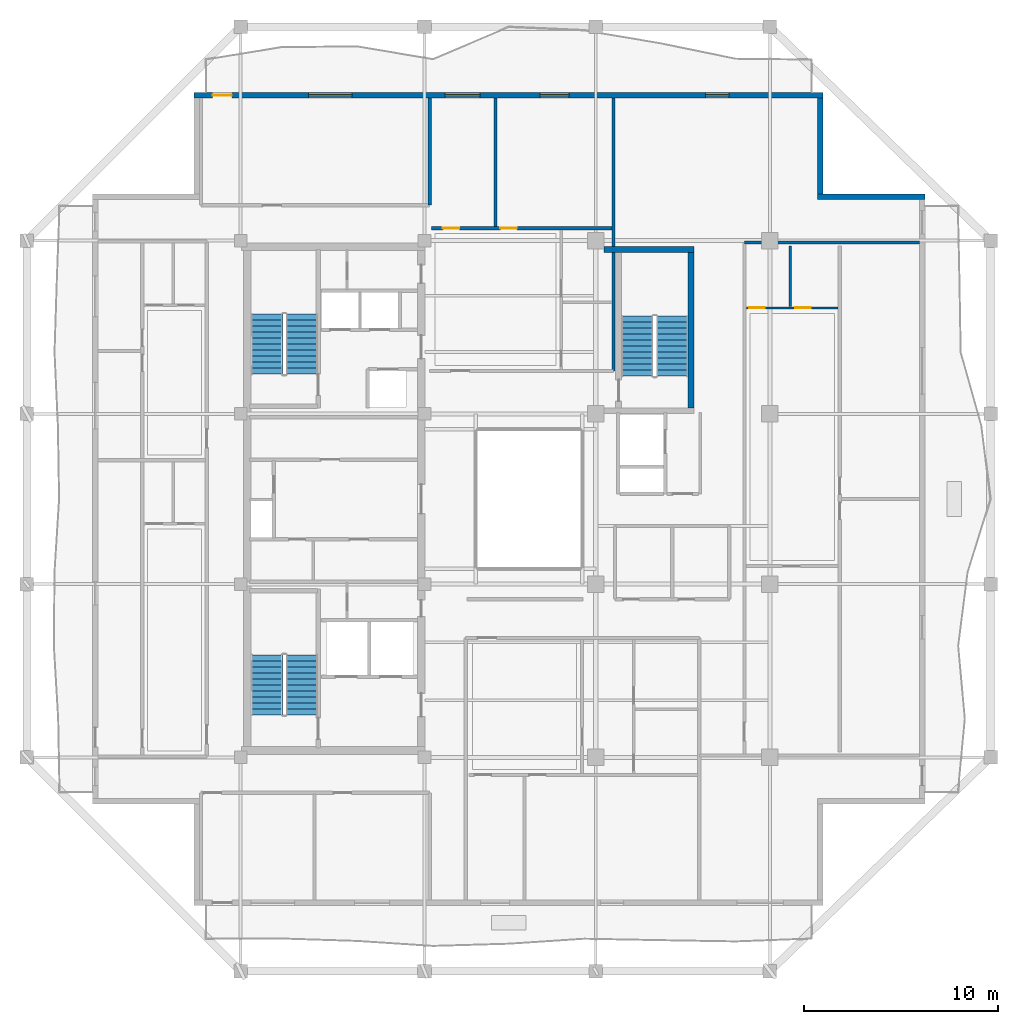
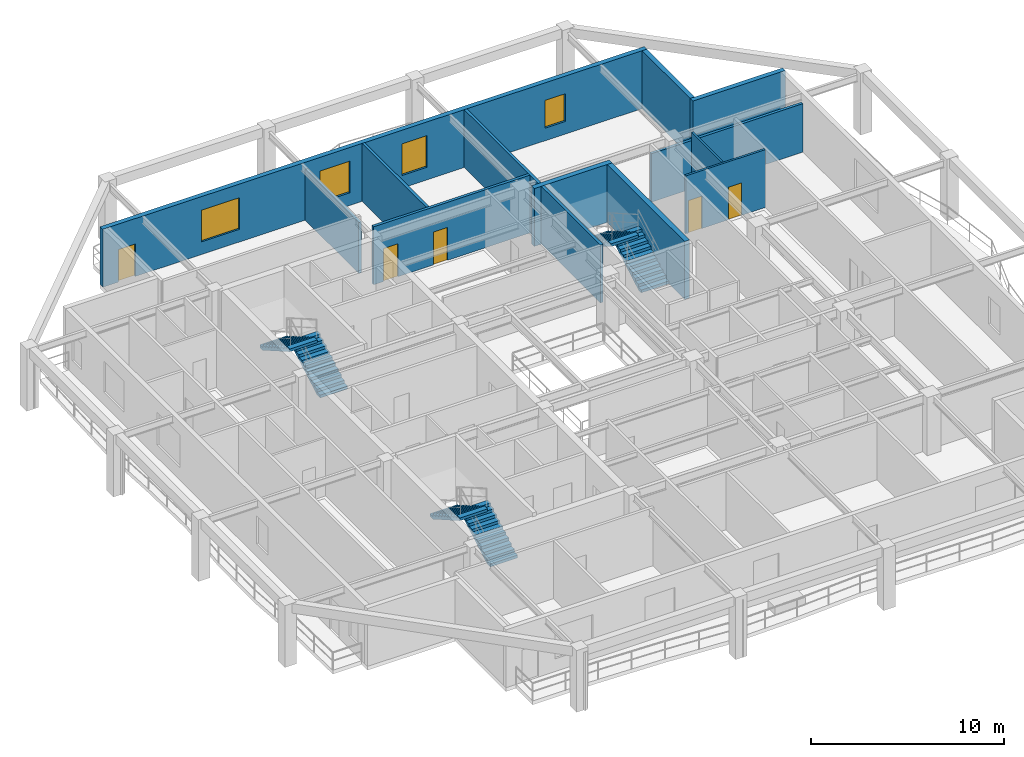
# One storey, part 6 of 11: 12 walls, 6 stair flights, 5 doors, 4 windows, 9 openings, 3 elements without a shape of their own.
"""IFC4 building model written with IfcOpenShell, lengths in metres."""

import ifcopenshell
import ifcopenshell.guid

model = None  # the IFC model being written
_history = None  # IfcOwnerHistory: only IFC2X3 demands one
_inside = {}  # id of a spatial element -> (the spatial element, [elements in it])
_under = {}  # id of a project, library or spatial element -> (it, [spatial elements below it])
_declared = {}  # id of a project -> (the project, [libraries it declares])
_typed = {}  # id of a type object -> (the type object, [elements of that type])
_made_of = {}  # id of a material, layer set ... -> (it, [elements and type objects made of it])


def new_model(schema):
    """Start an empty IFC model of exactly this schema.

    Asked for "IFC4X3", IfcOpenShell would pick the latest addendum, in which some entities
    have other attributes; the version numbers below select the first issue.
    IFC2X3 requires an IfcOwnerHistory on every rooted entity: one is made here for all.
    """
    global model, _history
    if schema == "IFC4X3":
        model = ifcopenshell.file(schema_version=(4, 3, 0, 0))
    else:
        model = ifcopenshell.file(schema=schema)
    _inside.clear()
    _under.clear()
    _declared.clear()
    _typed.clear()
    _made_of.clear()
    _history = None
    if model.schema == "IFC2X3":
        org = make("IfcOrganization", Name="unknown")
        user = make(
            "IfcPersonAndOrganization",
            ThePerson=make("IfcPerson", FamilyName="unknown"),
            TheOrganization=org,
        )
        app = make(
            "IfcApplication",
            ApplicationDeveloper=org,
            Version="unknown",
            ApplicationFullName="unknown",
            ApplicationIdentifier="unknown",
        )
        _history = make(
            "IfcOwnerHistory",
            OwningUser=user,
            OwningApplication=app,
            ChangeAction="ADDED",
            CreationDate=0,
        )
    return model


def make(cls, **values):
    """One entity of the class cls with the attributes given. An attribute that is None is left unset."""
    return model.create_entity(
        cls, **{name: value for name, value in values.items() if value is not None}
    )


def rooted(cls, **values):
    """An entity with a GlobalId (a new one), such as an element, a storey or a relation."""
    return make(cls, GlobalId=ifcopenshell.guid.new(), OwnerHistory=_history, **values)


def si_unit(unit_type, name, prefix=None):
    """IfcSIUnit, for example si_unit("LENGTHUNIT", "METRE", prefix="MILLI")."""
    return make("IfcSIUnit", UnitType=unit_type, Prefix=prefix, Name=name)


def assignment(units):
    """IfcUnitAssignment: the units of a project."""
    return None if units is None else make("IfcUnitAssignment", Units=units)


def point(xyz):
    """IfcCartesianPoint."""
    return None if xyz is None else make("IfcCartesianPoint", Coordinates=xyz)


def direction(xyz):
    """IfcDirection."""
    return None if xyz is None else make("IfcDirection", DirectionRatios=xyz)


def frame(location, z_axis=None, x_axis=None):
    """IfcAxis2Placement3D, a coordinate frame: its origin and axes. An axis left out is left unset."""
    return make(
        "IfcAxis2Placement3D",
        Location=point(location),
        Axis=direction(z_axis),
        RefDirection=direction(x_axis),
    )


def frame_2d(location, x_axis=None):
    """IfcAxis2Placement2D, a coordinate frame in the plane: its origin and x axis."""
    return make(
        "IfcAxis2Placement2D", Location=point(location), RefDirection=direction(x_axis)
    )


def origin():
    """The frame at (0, 0, 0) with its axes left unset."""
    return frame((0.0, 0.0, 0.0))


def place(relative_to, where):
    """IfcLocalPlacement: puts the frame where relative to a parent placement (None: the world)."""
    return make(
        "IfcLocalPlacement", PlacementRelTo=relative_to, RelativePlacement=where
    )


def context(
    kind, dimensions, precision=None, world=None, true_north=None, identifier=None
):
    """IfcGeometricRepresentationContext, for example the 3D "Model" context."""
    return make(
        "IfcGeometricRepresentationContext",
        ContextIdentifier=identifier,
        ContextType=kind,
        CoordinateSpaceDimension=dimensions,
        Precision=precision,
        WorldCoordinateSystem=world,
        TrueNorth=true_north,
    )


def subcontext(parent, identifier, kind, view, scale=None):
    """IfcGeometricRepresentationSubContext, for example "Body" below "Model"."""
    return make(
        "IfcGeometricRepresentationSubContext",
        ContextIdentifier=identifier,
        ContextType=kind,
        ParentContext=parent,
        TargetScale=scale,
        TargetView=view,
    )


def project(units=None, contexts=None):
    """IfcProject with its units and contexts."""
    return rooted(
        "IfcProject",
        Name="project",
        RepresentationContexts=contexts,
        UnitsInContext=assignment(units),
    )


def spatial(cls, under=None, at=None, **own):
    """A site, building, storey or space (cls), placed at a placement, below another one or the project."""
    s = rooted(cls, ObjectPlacement=at, **own)
    if under is not None:
        _under.setdefault(under.id(), (under, []))[1].append(s)
    return s


def polyline(points):
    """IfcPolyline through the points."""
    return make("IfcPolyline", Points=[point(p) for p in points])


def profile(cls, at=None, kind="AREA", **sizes):
    """A parametric profile (cls). Its sizes go by their IFC names, for example OverallWidth=200.0."""
    return make(cls, ProfileType=kind, Position=at, **sizes)


def rectangle(**sizes):
    """IfcRectangleProfileDef."""
    return profile("IfcRectangleProfileDef", **sizes)


def outline(outer, holes=None, kind="AREA"):
    """IfcArbitraryClosedProfileDef: a profile drawn as a closed curve; with holes, ...WithVoids."""
    if holes is None:
        return make("IfcArbitraryClosedProfileDef", ProfileType=kind, OuterCurve=outer)
    return make(
        "IfcArbitraryProfileDefWithVoids",
        ProfileType=kind,
        OuterCurve=outer,
        InnerCurves=holes,
    )


def extrude(swept, where, along, depth):
    """IfcExtrudedAreaSolid: the profile swept, set in the frame where, extruded along a direction by depth."""
    return make(
        "IfcExtrudedAreaSolid",
        SweptArea=swept,
        Position=where,
        ExtrudedDirection=direction(along),
        Depth=depth,
    )


def shape(context_of_items, identifier, shape_type, items):
    """IfcShapeRepresentation: the items that make up one representation, for example the "Body"."""
    return make(
        "IfcShapeRepresentation",
        ContextOfItems=context_of_items,
        RepresentationIdentifier=identifier,
        RepresentationType=shape_type,
        Items=items,
    )


def material(Name=None, Category=None):
    """IfcMaterial."""
    return make("IfcMaterial", Name=Name, Category=Category)


def layer(
    of_material, thickness, ventilated=None, Name=None, Category=None, Priority=None
):
    """IfcMaterialLayer: one layer of a wall or slab, of a material (None: an air gap)."""
    return make(
        "IfcMaterialLayer",
        Material=of_material,
        LayerThickness=thickness,
        IsVentilated=ventilated,
        Name=Name,
        Category=Category,
        Priority=Priority,
    )


def layer_set(layers, Name=None):
    """IfcMaterialLayerSet."""
    return make("IfcMaterialLayerSet", MaterialLayers=layers, LayerSetName=Name)


def made_of(thing, what):
    """Note that an element or type object is made of a material, layer set ...; save() writes the relation."""
    if what is not None:
        _made_of.setdefault(what.id(), (what, []))[1].append(thing)
    return thing


def type_object(cls, material=None, **own):
    """A type object (cls), such as IfcWallType, which elements share."""
    return made_of(rooted(cls, **own), material)


def element(
    cls,
    number,
    at=None,
    inside=None,
    cuts=None,
    type_object=None,
    material=None,
    context=None,
    identifier="Body",
    shape_type=None,
    held_by="IfcProductDefinitionShape",
    body=None,
    shapes=None,
    **own,
):
    """One element of the class cls, such as IfcWall. Its Tag is "e" and its number.

    at: its placement. inside: the storey or other place that contains it. cuts: it is an
    opening in that element (IfcRelVoidsElement). A single representation is given by context,
    identifier, shape_type and body (its items); several are given by shapes. held_by: the class
    of the entity that holds the representations. save() writes the other relations.
    """
    e = rooted(cls, Tag="e%d" % number, ObjectPlacement=at, **own)
    if body is not None:
        shapes = [shape(context, identifier, shape_type, body)]
    if shapes is not None:
        e.Representation = make(held_by, Representations=shapes)
    if inside is not None:
        _inside.setdefault(inside.id(), (inside, []))[1].append(e)
    if cuts is not None:
        rooted(
            "IfcRelVoidsElement", RelatingBuildingElement=cuts, RelatedOpeningElement=e
        )
    if type_object is not None:
        _typed.setdefault(type_object.id(), (type_object, []))[1].append(e)
    return made_of(e, material)


def fill(opening, filler):
    """IfcRelFillsElement: the door or window that sits in an opening."""
    return rooted(
        "IfcRelFillsElement",
        RelatingOpeningElement=opening,
        RelatedBuildingElement=filler,
    )


def aggregate(whole, parts):
    """IfcRelAggregates: a whole, such as a stair, and the parts it consists of."""
    return rooted("IfcRelAggregates", RelatingObject=whole, RelatedObjects=parts)


def save(model, path):
    """Write the relations noted so far, then the file.

    IfcRelAggregates (storeys below a building ...), IfcRelContainedInSpatialStructure (elements
    in a storey), IfcRelDefinesByType, IfcRelAssociatesMaterial and IfcRelDeclares: one each for
    every whole, place, type object, material and project.
    """
    for whole, parts in _under.values():
        aggregate(whole, parts)
    for where, things in _inside.values():
        rooted(
            "IfcRelContainedInSpatialStructure",
            RelatedElements=things,
            RelatingStructure=where,
        )
    for kind, things in _typed.values():
        rooted("IfcRelDefinesByType", RelatedObjects=things, RelatingType=kind)
    for what, things in _made_of.values():
        rooted("IfcRelAssociatesMaterial", RelatedObjects=things, RelatingMaterial=what)
    for by, libraries in _declared.values():
        rooted("IfcRelDeclares", RelatingContext=by, RelatedDefinitions=libraries)
    model.write(path)


model = new_model("IFC4")

# Units and contexts
model_context = context("Model", 3, precision=1e-05, world=origin(), true_north=direction((0.0, 1.0)))
body_context = subcontext(model_context, "Body", "Model", "MODEL_VIEW")
ifc_project = project(units=[si_unit("LENGTHUNIT", "METRE"), si_unit("AREAUNIT", "SQUARE_METRE"), si_unit("VOLUMEUNIT", "CUBIC_METRE"), si_unit("PLANEANGLEUNIT", "RADIAN"), si_unit("MASSUNIT", "GRAM", prefix="KILO")], contexts=[model_context])

# Site, building, storey
site_placement = place(None, origin())
site = spatial("IfcSite", under=ifc_project, at=site_placement, CompositionType="ELEMENT")
building_placement = place(site_placement, origin())
building = spatial("IfcBuilding", under=site, at=building_placement, Name="Kundavana Baori Tower", CompositionType="ELEMENT")
storey_placement = place(building_placement, frame((0.0, 0.0, 253.10009765625)))
storey = spatial("IfcBuildingStorey", under=building, at=storey_placement, Name="L62", CompositionType="ELEMENT", Elevation=253.10009765625)

# Walls
ifc_material_1 = material(Name="Red-Buff Dholpur Sandstone Cladding on Concrete C40/50", Category="masonry")
ifc_layer_1 = layer(ifc_material_1, 0.280029296875, Name="WL-EXT-SAND-280")
ifc_layer_set_1 = layer_set([ifc_layer_1], Name="Red-Buff Dholpur Sandstone Cladding on Concrete C40/50")
wall_type_1 = type_object("IfcWallType", Name="WL-EXT-SAND-280", PredefinedType="STANDARD", material=ifc_layer_set_1)
wall_1_placement = place(storey_placement, frame((50.800048828125, 44.2099609375, 0.0), z_axis=(0.0, 0.0, 1.0), x_axis=(-1.0, 0.0, 0.0)))
element("IfcWall", 1, at=wall_1_placement, inside=storey, type_object=wall_type_1, Name="L62 Exterior Insulated Facade Wall 05", PredefinedType="STANDARD", context=body_context, shape_type="SweptSolid", body=[
    extrude(rectangle(XDim=5.530029296875, YDim=0.280029296875, at=frame_2d((2.76513671875, 0.0))), origin(), (0.0, 0.0, 1.0), 3.659912109375),
])
wall_2_placement = place(storey_placement, frame((45.409912109375, 44.35009765625, 0.0), z_axis=(0.0, 0.0, 1.0), x_axis=(0.0, 1.0, 0.0)))
element("IfcWall", 2, at=wall_2_placement, inside=storey, type_object=wall_type_1, Name="L62 Exterior Insulated Facade Wall 06", PredefinedType="STANDARD", context=body_context, shape_type="SweptSolid", body=[
    extrude(rectangle(XDim=4.969970703125, YDim=0.280029296875, at=frame_2d((2.48486328125, 0.0))), origin(), (0.0, 0.0, 1.0), 3.659912109375),
])

# Wall, openings, door, windows
wall_3_placement = place(storey_placement, frame((45.550048828125, 49.4599609375, 0.0), z_axis=(0.0, 0.0, 1.0), x_axis=(-1.0, 0.0, 0.0)))
wall_3 = element("IfcWall", 3, at=wall_3_placement, inside=storey, type_object=wall_type_1, Name="L62 Exterior Insulated Facade Wall 07", PredefinedType="STANDARD", context=body_context, shape_type="SweptSolid", body=[
    extrude(rectangle(XDim=32.5, YDim=0.280029296875, at=frame_2d((16.25, 0.0))), origin(), (0.0, 0.0, 1.0), 3.659912109375),
])
opening_1_placement = place(wall_3_placement, frame((30.550048828125, 0.0, 0.0)))
opening_1 = element("IfcOpeningElement", 4, at=opening_1_placement, cuts=wall_3, Name="Opening BD-1", PredefinedType="OPENING", context=body_context, shape_type="SweptSolid", body=[
    extrude(rectangle(XDim=1.0, YDim=2.050048828125, at=frame_2d((0.5, 1.02490234375))), frame((0.0, 0.14990234375, 0.0), z_axis=(0.0, -1.0, 0.0), x_axis=(1.0, 0.0, 0.0)), (0.0, 0.0, 1.0), 0.300048828125),
])
opening_2_placement = place(wall_3_placement, frame((24.340087890625, 0.0, 0.800048828125)))
opening_2 = element("IfcOpeningElement", 5, at=opening_2_placement, cuts=wall_3, Name="Opening W-10", PredefinedType="OPENING", context=body_context, shape_type="SweptSolid", body=[
    extrude(rectangle(XDim=2.25, YDim=2.0, at=frame_2d((1.125, 1.0))), frame((0.0, 0.14990234375, 0.0), z_axis=(0.0, -1.0, 0.0), x_axis=(1.0, 0.0, 0.0)), (0.0, 0.0, 1.0), 0.300048828125),
])
opening_3_placement = place(wall_3_placement, frame((17.72802734375, 0.0, 0.800048828125)))
opening_3 = element("IfcOpeningElement", 6, at=opening_3_placement, cuts=wall_3, Name="Opening W-01", PredefinedType="OPENING", context=body_context, shape_type="SweptSolid", body=[
    extrude(rectangle(XDim=1.800048828125, YDim=2.0, at=frame_2d((0.89990234375, 1.0))), frame((0.0, 0.14990234375, 0.0), z_axis=(0.0, -1.0, 0.0), x_axis=(1.0, 0.0, 0.0)), (0.0, 0.0, 1.0), 0.300048828125),
])
opening_4_placement = place(wall_3_placement, frame((13.1279296875, 0.0, 0.800048828125)))
opening_4 = element("IfcOpeningElement", 7, at=opening_4_placement, cuts=wall_3, Name="Opening W-02", PredefinedType="OPENING", context=body_context, shape_type="SweptSolid", body=[
    extrude(rectangle(XDim=1.5, YDim=2.0, at=frame_2d((0.75, 1.0))), frame((0.0, 0.14990234375, 0.0), z_axis=(0.0, -1.0, 0.0), x_axis=(1.0, 0.0, 0.0)), (0.0, 0.0, 1.0), 0.300048828125),
])
opening_5_placement = place(wall_3_placement, frame((4.8701171875, 0.0, 0.800048828125)))
opening_5 = element("IfcOpeningElement", 8, at=opening_5_placement, cuts=wall_3, Name="Opening W-03", PredefinedType="OPENING", context=body_context, shape_type="SweptSolid", body=[
    extrude(rectangle(XDim=1.199951171875, YDim=1.75, at=frame_2d((0.60009765625, 0.875))), frame((0.0, 0.14990234375, 0.0), z_axis=(0.0, -1.0, 0.0), x_axis=(1.0, 0.0, 0.0)), (0.0, 0.0, 1.0), 0.300048828125),
])
ifc_material_2 = material(Name="Architectural Patinated Bronze Metalwork")
door_type_1 = type_object("IfcDoorType", Name="DR-EXT-LOG-1000", OperationType="NOTDEFINED", PredefinedType="DOOR", material=ifc_material_2)
door_1_placement = place(opening_1_placement, frame((1.0, 0.0, 0.0), z_axis=(0.0, 0.0, 1.0), x_axis=(-1.0, 0.0, 0.0)))
door_1 = element("IfcDoor", 9, at=door_1_placement, inside=storey, type_object=door_type_1, Name="L62 Loggia Balcony Access Door N", OperationType="SINGLE_SWING_LEFT", OverallHeight=2.050048828125, OverallWidth=1.0, PredefinedType="DOOR", context=body_context, shape_type="SweptSolid", body=[
    extrude(rectangle(XDim=1.0, YDim=2.050048828125, at=frame_2d((0.5, 1.02490234375))), frame((0.0, 0.02490234375, 0.0), z_axis=(0.0, -1.0, 0.0), x_axis=(1.0, 0.0, 0.0)), (0.0, 0.0, 1.0), 0.050048828125),
])
fill(opening_1, door_1)
ifc_material_3 = material(Name="Double-Glazed Solar-Control Low-E Insulated Glass", Category="glass")
window_type_1 = type_object("IfcWindowType", Name="WIN-LOG-1200x1750", PartitioningType="SINGLE_PANEL", PredefinedType="WINDOW", material=ifc_material_3)
window_1_placement = place(opening_5_placement, origin())
window_1 = element("IfcWindow", 10, at=window_1_placement, inside=storey, type_object=window_type_1, Name="L62 Recessed Loggia Window N-4", OverallHeight=1.75, OverallWidth=1.199951171875, PartitioningType="SINGLE_PANEL", PredefinedType="WINDOW", context=body_context, shape_type="SweptSolid", body=[
    extrude(rectangle(XDim=1.199951171875, YDim=1.75, at=frame_2d((0.60009765625, 0.875))), frame((0.0, 0.030029296875, 0.0), z_axis=(0.0, -1.0, 0.0), x_axis=(1.0, 0.0, 0.0)), (0.0, 0.0, 1.0), 0.06005859375),
])
fill(opening_5, window_1)
ifc_material_4 = material(Name="Double-Glazed Solar-Control Low-E Insulated Glass", Category="glass")
window_type_2 = type_object("IfcWindowType", Name="WIN-LOG-1500x2000", PartitioningType="SINGLE_PANEL", PredefinedType="WINDOW", material=ifc_material_4)
window_2_placement = place(opening_4_placement, origin())
window_2 = element("IfcWindow", 11, at=window_2_placement, inside=storey, type_object=window_type_2, Name="L62 Recessed Loggia Window N-3", OverallHeight=2.0, OverallWidth=1.5, PartitioningType="SINGLE_PANEL", PredefinedType="WINDOW", context=body_context, shape_type="SweptSolid", body=[
    extrude(rectangle(XDim=1.5, YDim=2.0, at=frame_2d((0.75, 1.0))), frame((0.0, 0.030029296875, 0.0), z_axis=(0.0, -1.0, 0.0), x_axis=(1.0, 0.0, 0.0)), (0.0, 0.0, 1.0), 0.06005859375),
])
fill(opening_4, window_2)
ifc_material_5 = material(Name="Double-Glazed Solar-Control Low-E Insulated Glass", Category="glass")
window_type_3 = type_object("IfcWindowType", Name="WIN-LOG-1800x2000", PartitioningType="SINGLE_PANEL", PredefinedType="WINDOW", material=ifc_material_5)
window_3_placement = place(opening_3_placement, origin())
window_3 = element("IfcWindow", 12, at=window_3_placement, inside=storey, type_object=window_type_3, Name="L62 Recessed Loggia Window N-2", OverallHeight=2.0, OverallWidth=1.800048828125, PartitioningType="SINGLE_PANEL", PredefinedType="WINDOW", context=body_context, shape_type="SweptSolid", body=[
    extrude(rectangle(XDim=1.800048828125, YDim=2.0, at=frame_2d((0.89990234375, 1.0))), frame((0.0, 0.030029296875, 0.0), z_axis=(0.0, -1.0, 0.0), x_axis=(1.0, 0.0, 0.0)), (0.0, 0.0, 1.0), 0.06005859375),
])
fill(opening_3, window_3)
ifc_material_6 = material(Name="Double-Glazed Solar-Control Low-E Insulated Glass", Category="glass")
window_type_4 = type_object("IfcWindowType", Name="WIN-LOG-2250x2000", PartitioningType="SINGLE_PANEL", PredefinedType="WINDOW", material=ifc_material_6)
window_4_placement = place(opening_2_placement, origin())
window_4 = element("IfcWindow", 13, at=window_4_placement, inside=storey, type_object=window_type_4, Name="L62 Recessed Loggia Window N-1", OverallHeight=2.0, OverallWidth=2.25, PartitioningType="SINGLE_PANEL", PredefinedType="WINDOW", context=body_context, shape_type="SweptSolid", body=[
    extrude(rectangle(XDim=2.25, YDim=2.0, at=frame_2d((1.125, 1.0))), frame((0.0, 0.030029296875, 0.0), z_axis=(0.0, -1.0, 0.0), x_axis=(1.0, 0.0, 0.0)), (0.0, 0.0, 1.0), 0.06005859375),
])
fill(opening_2, window_4)

# Walls
ifc_material_7 = material(Name="Fire-Rated Gypsum Drywall on Galvanised Steel Studs", Category="steel")
ifc_layer_2 = layer(ifc_material_7, 0.1650390625, Name="WL-PART-165")
ifc_layer_set_2 = layer_set([ifc_layer_2], Name="Fire-Rated Gypsum Drywall on Galvanised Steel Studs")
wall_type_2 = type_object("IfcWallType", Name="WL-PART-165", PredefinedType="PARTITIONING", material=ifc_layer_set_2)
wall_4_placement = place(storey_placement, frame((25.219970703125, 43.780029296875, 0.0), z_axis=(0.0, 0.0, 1.0), x_axis=(0.0, 1.0, 0.0)))
element("IfcWall", 14, at=wall_4_placement, inside=storey, type_object=wall_type_2, Name="WL-L62-RNCE", PredefinedType="PARTITIONING", context=body_context, shape_type="SweptSolid", body=[
    extrude(rectangle(XDim=5.5400390625, YDim=0.1650390625, at=frame_2d((2.77001953125, 0.0))), origin(), (0.0, 0.0, 1.0), 3.2099609375),
])
wall_5_placement = place(storey_placement, frame((34.719970703125, 35.219970703125, 0.0), z_axis=(0.0, 0.0, 1.0), x_axis=(0.0, 1.0, 0.0)))
element("IfcWall", 15, at=wall_5_placement, inside=storey, type_object=wall_type_2, Name="WL-L62-RNEND", PredefinedType="PARTITIONING", context=body_context, shape_type="SweptSolid", body=[
    extrude(rectangle(XDim=14.10009765625, YDim=0.1650390625, at=frame_2d((7.050048828125, 0.0))), origin(), (0.0, 0.0, 1.0), 3.659912109375),
])

# Wall, openings, doors
wall_6_placement = place(storey_placement, frame((25.300048828125, 42.590087890625, 0.0), z_axis=(0.0, 0.0, 1.0), x_axis=(1.0, 0.0, 0.0)))
wall_6 = element("IfcWall", 16, at=wall_6_placement, inside=storey, type_object=wall_type_2, Name="WL-L62-N1-HZ", PredefinedType="PARTITIONING", context=body_context, shape_type="SweptSolid", body=[
    extrude(rectangle(XDim=9.33984375, YDim=0.1650390625, at=frame_2d((4.669921875, 0.0))), origin(), (0.0, 0.0, 1.0), 3.659912109375),
])
opening_6_placement = place(wall_6_placement, frame((0.60009765625, 0.0, 0.0)))
opening_6 = element("IfcOpeningElement", 17, at=opening_6_placement, cuts=wall_6, Name="Opening ID-085", PredefinedType="OPENING", context=body_context, shape_type="SweptSolid", body=[
    extrude(rectangle(XDim=0.85009765625, YDim=2.080078125, at=frame_2d((0.425048828125, 1.0400390625))), frame((0.0, 0.092529296875, 0.0), z_axis=(0.0, -1.0, 0.0), x_axis=(1.0, 0.0, 0.0)), (0.0, 0.0, 1.0), 0.18505859375),
])
opening_7_placement = place(wall_6_placement, frame((3.572998046875, 0.0, 0.0)))
opening_7 = element("IfcOpeningElement", 18, at=opening_7_placement, cuts=wall_6, Name="Opening ID-085", PredefinedType="OPENING", context=body_context, shape_type="SweptSolid", body=[
    extrude(rectangle(XDim=0.85009765625, YDim=2.080078125, at=frame_2d((0.425048828125, 1.0400390625))), frame((0.0, 0.092529296875, 0.0), z_axis=(0.0, -1.0, 0.0), x_axis=(1.0, 0.0, 0.0)), (0.0, 0.0, 1.0), 0.18505859375),
])
ifc_material_8 = material(Name="Engineered Teak Solid-Core Timber Veneer", Category="wood")
door_type_2 = type_object("IfcDoorType", Name="DR-INT-850", OperationType="NOTDEFINED", PredefinedType="DOOR", material=ifc_material_8)
door_2_placement = place(opening_6_placement, origin())
door_2 = element("IfcDoor", 19, at=door_2_placement, inside=storey, type_object=door_type_2, Name="DR-L62-N1-B1", OperationType="SINGLE_SWING_LEFT", OverallHeight=2.080078125, OverallWidth=0.85009765625, PredefinedType="DOOR", context=body_context, shape_type="SweptSolid", body=[
    extrude(rectangle(XDim=0.85009765625, YDim=2.080078125, at=frame_2d((0.425048828125, 1.0400390625))), frame((0.0, 0.02490234375, 0.0), z_axis=(0.0, -1.0, 0.0), x_axis=(1.0, 0.0, 0.0)), (0.0, 0.0, 1.0), 0.050048828125),
])
fill(opening_6, door_2)
door_3_placement = place(opening_7_placement, origin())
door_3 = element("IfcDoor", 20, at=door_3_placement, inside=storey, type_object=door_type_2, Name="DR-L62-N1-B2", OperationType="SINGLE_SWING_RIGHT", OverallHeight=2.080078125, OverallWidth=0.85009765625, PredefinedType="DOOR", context=body_context, shape_type="SweptSolid", body=[
    extrude(rectangle(XDim=0.85009765625, YDim=2.080078125, at=frame_2d((0.425048828125, 1.0400390625))), frame((0.0, 0.02490234375, 0.0), z_axis=(0.0, -1.0, 0.0), x_axis=(1.0, 0.0, 0.0)), (0.0, 0.0, 1.0), 0.050048828125),
])
fill(opening_7, door_3)

# Walls
wall_7_placement = place(storey_placement, frame((28.623046875, 42.669921875, 0.0), z_axis=(0.0, 0.0, 1.0), x_axis=(0.0, 1.0, 0.0)))
element("IfcWall", 21, at=wall_7_placement, inside=storey, type_object=wall_type_2, Name="WL-L62-N1-BDV", PredefinedType="PARTITIONING", context=body_context, shape_type="SweptSolid", body=[
    extrude(rectangle(XDim=6.650146484375, YDim=0.1650390625, at=frame_2d((3.3251953125, 0.0))), origin(), (0.0, 0.0, 1.0), 3.659912109375),
])
wall_8_placement = place(storey_placement, frame((41.47998046875, 41.85009765625, 0.0), z_axis=(0.0, 0.0, 1.0), x_axis=(1.0, 0.0, 0.0)))
element("IfcWall", 22, at=wall_8_placement, inside=storey, type_object=wall_type_2, Name="WL-L62-REN", PredefinedType="PARTITIONING", context=body_context, shape_type="SweptSolid", body=[
    extrude(rectangle(XDim=9.0400390625, YDim=0.1650390625, at=frame_2d((4.52001953125, 0.0))), origin(), (0.0, 0.0, 1.0), 3.059814453125),
])
ifc_material_9 = material(Name="Concrete C50/60", Category="concrete")
ifc_layer_3 = layer(ifc_material_9, 0.300048828125, Name="WL-ST3-300")
ifc_layer_set_3 = layer_set([ifc_layer_3], Name="Concrete C50/60")
wall_type_3 = type_object("IfcWallType", Name="WL-ST3-300", PredefinedType="SHEAR", material=ifc_layer_set_3)
wall_9_placement = place(storey_placement, frame((34.22509765625, 41.489990234375, 0.0), z_axis=(0.0, 0.0, 1.0), x_axis=(1.0, 0.0, 0.0)))
element("IfcWall", 23, at=wall_9_placement, inside=storey, type_object=wall_type_3, Name="L62 Stair ST3 North Shear Wall", PredefinedType="SHEAR", context=body_context, shape_type="SweptSolid", body=[
    extrude(rectangle(XDim=4.64501953125, YDim=0.300048828125, at=frame_2d((2.322509765625, 0.0))), origin(), (0.0, 0.0, 1.0), 3.659912109375),
])
wall_10_placement = place(storey_placement, frame((38.719970703125, 33.31005859375, 0.0), z_axis=(0.0, 0.0, 1.0), x_axis=(0.0, 1.0, 0.0)))
element("IfcWall", 24, at=wall_10_placement, inside=storey, type_object=wall_type_3, Name="L62 Stair ST3 East Shear Wall", PredefinedType="SHEAR", context=body_context, shape_type="SweptSolid", body=[
    extrude(rectangle(XDim=8.030029296875, YDim=0.300048828125, at=frame_2d((4.01513671875, 0.0))), origin(), (0.0, 0.0, 1.0), 3.659912109375),
])

# Wall, openings, doors
ifc_material_10 = material(Name="Autoclaved Aerated Concrete Blockwork Masonry", Category="masonry")
ifc_layer_4 = layer(ifc_material_10, 0.125, Name="WL-WET-120")
ifc_layer_set_4 = layer_set([ifc_layer_4], Name="Autoclaved Aerated Concrete Blockwork Masonry")
wall_type_4 = type_object("IfcWallType", Name="WL-WET-120", PredefinedType="PLUMBINGWALL", material=ifc_layer_set_4)
wall_11_placement = place(storey_placement, frame((41.580078125, 38.469970703125, 0.0), z_axis=(0.0, 0.0, 1.0), x_axis=(1.0, 0.0, 0.0)))
wall_11 = element("IfcWall", 25, at=wall_11_placement, inside=storey, type_object=wall_type_4, Name="WL-L62-E1-KH", PredefinedType="PLUMBINGWALL", context=body_context, shape_type="SweptSolid", body=[
    extrude(rectangle(XDim=4.747802734375, YDim=0.125, at=frame_2d((2.3740234375, 0.0))), origin(), (0.0, 0.0, 1.0), 3.659912109375),
])
opening_8_placement = place(wall_11_placement, frame((0.159912109375, 0.0, 0.0)))
opening_8 = element("IfcOpeningElement", 26, at=opening_8_placement, cuts=wall_11, Name="Opening WD-080", PredefinedType="OPENING", context=body_context, shape_type="SweptSolid", body=[
    extrude(rectangle(XDim=0.800048828125, YDim=2.050048828125, at=frame_2d((0.39990234375, 1.02490234375))), frame((0.0, 0.072509765625, 0.0), z_axis=(0.0, -1.0, 0.0), x_axis=(1.0, 0.0, 0.0)), (0.0, 0.0, 1.0), 0.14501953125),
])
opening_9_placement = place(wall_11_placement, frame((2.5390625, 0.0, 0.0)))
opening_9 = element("IfcOpeningElement", 27, at=opening_9_placement, cuts=wall_11, Name="Opening WD-080", PredefinedType="OPENING", context=body_context, shape_type="SweptSolid", body=[
    extrude(rectangle(XDim=0.800048828125, YDim=2.050048828125, at=frame_2d((0.39990234375, 1.02490234375))), frame((0.0, 0.072509765625, 0.0), z_axis=(0.0, -1.0, 0.0), x_axis=(1.0, 0.0, 0.0)), (0.0, 0.0, 1.0), 0.14501953125),
])
ifc_material_11 = material(Name="Engineered Teak Solid-Core Timber Veneer", Category="wood")
door_type_3 = type_object("IfcDoorType", Name="DR-WET-800", OperationType="NOTDEFINED", PredefinedType="DOOR", material=ifc_material_11)
door_4_placement = place(opening_8_placement, origin())
door_4 = element("IfcDoor", 28, at=door_4_placement, inside=storey, type_object=door_type_3, Name="DR-L62-E1-BT", OperationType="SINGLE_SWING_LEFT", OverallHeight=2.050048828125, OverallWidth=0.800048828125, PredefinedType="DOOR", context=body_context, shape_type="SweptSolid", body=[
    extrude(rectangle(XDim=0.800048828125, YDim=2.050048828125, at=frame_2d((0.39990234375, 1.02490234375))), frame((0.0, 0.02490234375, 0.0), z_axis=(0.0, -1.0, 0.0), x_axis=(1.0, 0.0, 0.0)), (0.0, 0.0, 1.0), 0.050048828125),
])
fill(opening_8, door_4)
door_5_placement = place(opening_9_placement, origin())
door_5 = element("IfcDoor", 29, at=door_5_placement, inside=storey, type_object=door_type_3, Name="DR-L62-E1-KT", OperationType="SINGLE_SWING_RIGHT", OverallHeight=2.050048828125, OverallWidth=0.800048828125, PredefinedType="DOOR", context=body_context, shape_type="SweptSolid", body=[
    extrude(rectangle(XDim=0.800048828125, YDim=2.050048828125, at=frame_2d((0.39990234375, 1.02490234375))), frame((0.0, 0.02490234375, 0.0), z_axis=(0.0, -1.0, 0.0), x_axis=(1.0, 0.0, 0.0)), (0.0, 0.0, 1.0), 0.050048828125),
])
fill(opening_9, door_5)

# Wall
wall_12_placement = place(storey_placement, frame((43.85888671875, 38.550048828125, 0.0), z_axis=(0.0, 0.0, 1.0), x_axis=(0.0, 1.0, 0.0)))
element("IfcWall", 30, at=wall_12_placement, inside=storey, type_object=wall_type_4, Name="WL-L62-E1-BV", PredefinedType="PLUMBINGWALL", context=body_context, shape_type="SweptSolid", body=[
    extrude(rectangle(XDim=3.119873046875, YDim=0.125, at=frame_2d((1.56005859375, 0.0))), origin(), (0.0, 0.0, 1.0), 3.659912109375),
])

# Stair, stair flights
ifc_material_12 = material(Name="Concrete C40/50", Category="concrete")
stair_type = type_object("IfcStairType", Name="STR-DOG-1650", PredefinedType="HALF_TURN_STAIR", material=ifc_material_12)
stair_1_placement = place(storey_placement, origin())
stair_1 = element("IfcStair", 31, at=stair_1_placement, inside=storey, type_object=stair_type, Name="L62 Protected Exit Stair ST1", PredefinedType="HALF_TURN_STAIR")
ifc_material_13 = material(Name="Concrete C40/50", Category="concrete")
stair_flight_type = type_object("IfcStairFlightType", Name="SFL-RC-1650", PredefinedType="STRAIGHT", material=ifc_material_13)
stair_flight_1_placement = place(storey_placement, frame((18.614990234375, 17.449951171875, 0.0), z_axis=(0.0, 0.0, 1.0), x_axis=(0.0, 1.0, 0.0)))
stair_flight_1 = element("IfcStairFlight", 32, at=stair_flight_1_placement, type_object=stair_flight_type, Name="ST1 flight 1", NumberOfRisers=11, NumberOfTreads=10, PredefinedType="STRAIGHT", RiserHeight=0.177272727, TreadLength=0.31, context=body_context, shape_type="SweptSolid", body=[
    extrude(outline(polyline([(0.0, 0.0), (0.0, 0.17724609375), (0.31005859375, 0.17724609375), (0.31005859375, 0.3544921875), (0.6201171875, 0.3544921875), (0.6201171875, 0.53173828125), (0.929931640625, 0.53173828125), (0.929931640625, 0.708984375), (1.239990234375, 0.708984375), (1.239990234375, 0.886474609375), (1.550048828125, 0.886474609375), (1.550048828125, 1.063720703125), (1.860107421875, 1.063720703125), (1.860107421875, 1.240966796875), (2.169921875, 1.240966796875), (2.169921875, 1.418212890625), (2.47998046875, 1.418212890625), (2.47998046875, 1.595458984375), (2.7900390625, 1.595458984375), (2.7900390625, 1.772705078125), (3.10009765625, 1.772705078125), (3.10009765625, 1.949951171875), (3.10009765625, 1.60009765625), (0.302001953125, 0.0), (0.0, 0.0)])), frame((0.0, 0.824951171875, 0.0), z_axis=(0.0, -1.0, 0.0), x_axis=(1.0, 0.0, 0.0)), (0.0, 0.0, 1.0), 1.64990234375),
])
stair_flight_2_placement = place(storey_placement, frame((16.804931640625, 20.550048828125, 1.949951171875), z_axis=(0.0, 0.0, 1.0), x_axis=(0.0, -1.0, 0.0)))
stair_flight_2 = element("IfcStairFlight", 33, at=stair_flight_2_placement, type_object=stair_flight_type, Name="ST1 flight 2", NumberOfRisers=11, NumberOfTreads=10, PredefinedType="STRAIGHT", RiserHeight=0.177272727, TreadLength=0.31, context=body_context, shape_type="SweptSolid", body=[
    extrude(outline(polyline([(0.0, 0.0), (0.0, 0.17724609375), (0.31005859375, 0.17724609375), (0.31005859375, 0.3544921875), (0.6201171875, 0.3544921875), (0.6201171875, 0.53173828125), (0.929931640625, 0.53173828125), (0.929931640625, 0.708984375), (1.239990234375, 0.708984375), (1.239990234375, 0.886474609375), (1.550048828125, 0.886474609375), (1.550048828125, 1.063720703125), (1.860107421875, 1.063720703125), (1.860107421875, 1.240966796875), (2.169921875, 1.240966796875), (2.169921875, 1.418212890625), (2.47998046875, 1.418212890625), (2.47998046875, 1.595458984375), (2.7900390625, 1.595458984375), (2.7900390625, 1.772705078125), (3.10009765625, 1.772705078125), (3.10009765625, 1.949951171875), (3.10009765625, 1.60009765625), (0.302001953125, 0.0), (0.0, 0.0)])), frame((0.0, 0.824951171875, 0.0), z_axis=(0.0, -1.0, 0.0), x_axis=(1.0, 0.0, 0.0)), (0.0, 0.0, 1.0), 1.64990234375),
])
aggregate(stair_1, [stair_flight_1, stair_flight_2])

stair_2_placement = place(storey_placement, origin())
stair_2 = element("IfcStair", 34, at=stair_2_placement, inside=storey, type_object=stair_type, Name="L62 Protected Exit Stair ST2", PredefinedType="HALF_TURN_STAIR")
stair_flight_3_placement = place(storey_placement, frame((18.614990234375, 35.050048828125, 0.0), z_axis=(0.0, 0.0, 1.0), x_axis=(0.0, 1.0, 0.0)))
stair_flight_3 = element("IfcStairFlight", 35, at=stair_flight_3_placement, type_object=stair_flight_type, Name="ST2 flight 1", NumberOfRisers=11, NumberOfTreads=10, PredefinedType="STRAIGHT", RiserHeight=0.177272727, TreadLength=0.31, context=body_context, shape_type="SweptSolid", body=[
    extrude(outline(polyline([(0.0, 0.0), (0.0, 0.17724609375), (0.31005859375, 0.17724609375), (0.31005859375, 0.3544921875), (0.6201171875, 0.3544921875), (0.6201171875, 0.53173828125), (0.929931640625, 0.53173828125), (0.929931640625, 0.708984375), (1.239990234375, 0.708984375), (1.239990234375, 0.886474609375), (1.550048828125, 0.886474609375), (1.550048828125, 1.063720703125), (1.860107421875, 1.063720703125), (1.860107421875, 1.240966796875), (2.169921875, 1.240966796875), (2.169921875, 1.418212890625), (2.47998046875, 1.418212890625), (2.47998046875, 1.595458984375), (2.7900390625, 1.595458984375), (2.7900390625, 1.772705078125), (3.10009765625, 1.772705078125), (3.10009765625, 1.949951171875), (3.10009765625, 1.60009765625), (0.302001953125, 0.0), (0.0, 0.0)])), frame((0.0, 0.824951171875, 0.0), z_axis=(0.0, -1.0, 0.0), x_axis=(1.0, 0.0, 0.0)), (0.0, 0.0, 1.0), 1.64990234375),
])
stair_flight_4_placement = place(storey_placement, frame((16.804931640625, 38.14990234375, 1.949951171875), z_axis=(0.0, 0.0, 1.0), x_axis=(0.0, -1.0, 0.0)))
stair_flight_4 = element("IfcStairFlight", 36, at=stair_flight_4_placement, type_object=stair_flight_type, Name="ST2 flight 2", NumberOfRisers=11, NumberOfTreads=10, PredefinedType="STRAIGHT", RiserHeight=0.177272727, TreadLength=0.31, context=body_context, shape_type="SweptSolid", body=[
    extrude(outline(polyline([(0.0, 0.0), (0.0, 0.17724609375), (0.31005859375, 0.17724609375), (0.31005859375, 0.3544921875), (0.6201171875, 0.3544921875), (0.6201171875, 0.53173828125), (0.929931640625, 0.53173828125), (0.929931640625, 0.708984375), (1.239990234375, 0.708984375), (1.239990234375, 0.886474609375), (1.550048828125, 0.886474609375), (1.550048828125, 1.063720703125), (1.860107421875, 1.063720703125), (1.860107421875, 1.240966796875), (2.169921875, 1.240966796875), (2.169921875, 1.418212890625), (2.47998046875, 1.418212890625), (2.47998046875, 1.595458984375), (2.7900390625, 1.595458984375), (2.7900390625, 1.772705078125), (3.10009765625, 1.772705078125), (3.10009765625, 1.949951171875), (3.10009765625, 1.60009765625), (0.302001953125, 0.0), (0.0, 0.0)])), frame((0.0, 0.824951171875, 0.0), z_axis=(0.0, -1.0, 0.0), x_axis=(1.0, 0.0, 0.0)), (0.0, 0.0, 1.0), 1.64990234375),
])
aggregate(stair_2, [stair_flight_3, stair_flight_4])

stair_3_placement = place(storey_placement, origin())
stair_3 = element("IfcStair", 37, at=stair_3_placement, inside=storey, type_object=stair_type, Name="L62 Protected Exit Stair ST3", PredefinedType="HALF_TURN_STAIR")
stair_flight_5_placement = place(storey_placement, frame((37.7548828125, 34.949951171875, 0.0), z_axis=(0.0, 0.0, 1.0), x_axis=(0.0, 1.0, 0.0)))
stair_flight_5 = element("IfcStairFlight", 38, at=stair_flight_5_placement, type_object=stair_flight_type, Name="ST3 flight 1", NumberOfRisers=11, NumberOfTreads=10, PredefinedType="STRAIGHT", RiserHeight=0.177272727, TreadLength=0.31, context=body_context, shape_type="SweptSolid", body=[
    extrude(outline(polyline([(0.0, 0.0), (0.0, 0.17724609375), (0.31005859375, 0.17724609375), (0.31005859375, 0.3544921875), (0.6201171875, 0.3544921875), (0.6201171875, 0.53173828125), (0.929931640625, 0.53173828125), (0.929931640625, 0.708984375), (1.239990234375, 0.708984375), (1.239990234375, 0.886474609375), (1.550048828125, 0.886474609375), (1.550048828125, 1.063720703125), (1.860107421875, 1.063720703125), (1.860107421875, 1.240966796875), (2.169921875, 1.240966796875), (2.169921875, 1.418212890625), (2.47998046875, 1.418212890625), (2.47998046875, 1.595458984375), (2.7900390625, 1.595458984375), (2.7900390625, 1.772705078125), (3.10009765625, 1.772705078125), (3.10009765625, 1.949951171875), (3.10009765625, 1.60009765625), (0.302001953125, 0.0), (0.0, 0.0)])), frame((0.0, 0.824951171875, 0.0), z_axis=(0.0, -1.0, 0.0), x_axis=(1.0, 0.0, 0.0)), (0.0, 0.0, 1.0), 1.64990234375),
])
stair_flight_6_placement = place(storey_placement, frame((35.945068359375, 38.050048828125, 1.949951171875), z_axis=(0.0, 0.0, 1.0), x_axis=(0.0, -1.0, 0.0)))
stair_flight_6 = element("IfcStairFlight", 39, at=stair_flight_6_placement, type_object=stair_flight_type, Name="ST3 flight 2", NumberOfRisers=11, NumberOfTreads=10, PredefinedType="STRAIGHT", RiserHeight=0.177272727, TreadLength=0.31, context=body_context, shape_type="SweptSolid", body=[
    extrude(outline(polyline([(0.0, 0.0), (0.0, 0.17724609375), (0.31005859375, 0.17724609375), (0.31005859375, 0.3544921875), (0.6201171875, 0.3544921875), (0.6201171875, 0.53173828125), (0.929931640625, 0.53173828125), (0.929931640625, 0.708984375), (1.239990234375, 0.708984375), (1.239990234375, 0.886474609375), (1.550048828125, 0.886474609375), (1.550048828125, 1.063720703125), (1.860107421875, 1.063720703125), (1.860107421875, 1.240966796875), (2.169921875, 1.240966796875), (2.169921875, 1.418212890625), (2.47998046875, 1.418212890625), (2.47998046875, 1.595458984375), (2.7900390625, 1.595458984375), (2.7900390625, 1.772705078125), (3.10009765625, 1.772705078125), (3.10009765625, 1.949951171875), (3.10009765625, 1.60009765625), (0.302001953125, 0.0), (0.0, 0.0)])), frame((0.0, 0.824951171875, 0.0), z_axis=(0.0, -1.0, 0.0), x_axis=(1.0, 0.0, 0.0)), (0.0, 0.0, 1.0), 1.64990234375),
])
aggregate(stair_3, [stair_flight_5, stair_flight_6])

save(model, "model.ifc")
